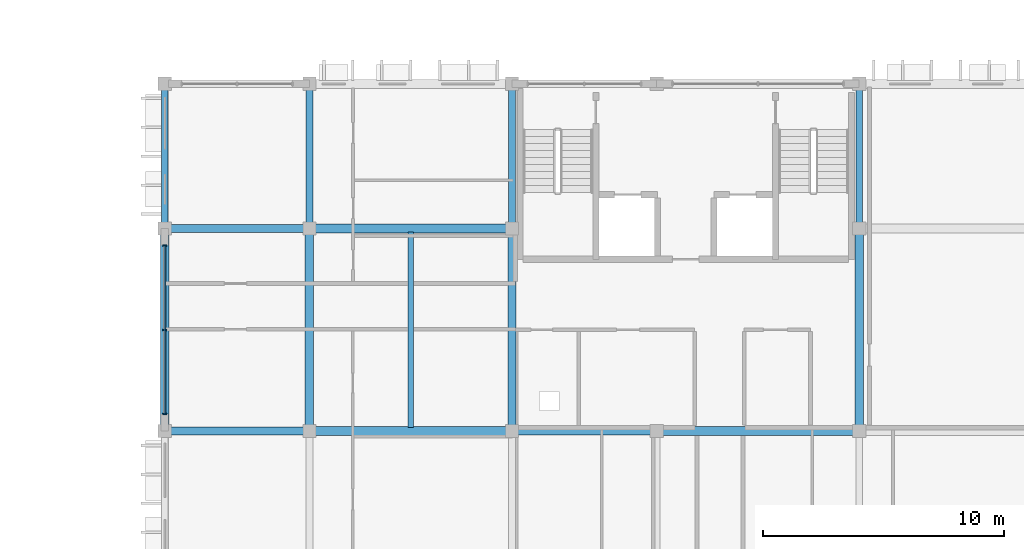
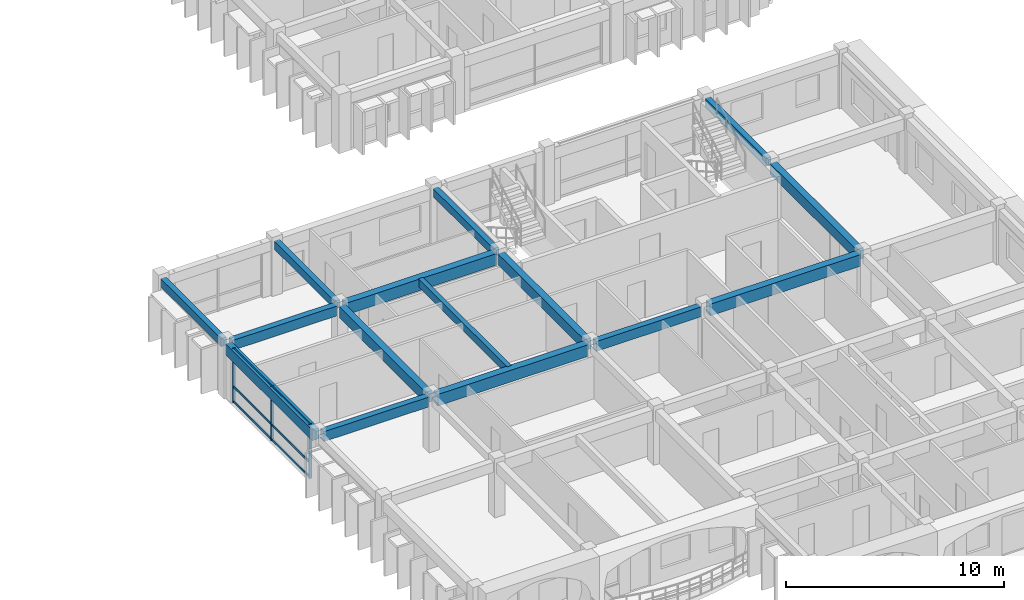
# One storey, part 15 of 79: 15 beams, 6 members, 1 element without a shape of its own.
"""IFC4 building model written with IfcOpenShell, lengths in metres."""

from ifc_helpers import new_model, si_unit, direction, frame, origin, origin_2d, place, context, subcontext, project, spatial, rectangle, extrude, material, material_profile, profile_set, type_object, element, aggregate, save


model = new_model("IFC4")

# Units and contexts
model_context = context("Model", 3, precision=1e-05, world=origin(), true_north=direction((0.0, 1.0)))
body_context = subcontext(model_context, "Body", "Model", "MODEL_VIEW")
ifc_project = project(units=[si_unit("LENGTHUNIT", "METRE"), si_unit("AREAUNIT", "SQUARE_METRE"), si_unit("VOLUMEUNIT", "CUBIC_METRE"), si_unit("PLANEANGLEUNIT", "RADIAN"), si_unit("MASSUNIT", "GRAM", prefix="KILO"), si_unit("THERMODYNAMICTEMPERATUREUNIT", "KELVIN")], contexts=[model_context])

# Site, building, storey
site_placement = place(None, origin())
site = spatial("IfcSite", under=ifc_project, at=site_placement, CompositionType="ELEMENT")
building_placement = place(site_placement, origin())
building = spatial("IfcBuilding", under=site, at=building_placement, Name="Thalorik Housing Commons", CompositionType="ELEMENT")
storey_placement = place(building_placement, frame((0.0, 0.0, 11.39990234375)))
storey = spatial("IfcBuildingStorey", under=building, at=storey_placement, Name="L03", CompositionType="ELEMENT", Elevation=11.39990234375)

# Curtain wall, members
ifc_material_1 = material(Name="Anodised aluminium and solar-control low-E glass", Category="aluminium")
curtain_wall_type = type_object("IfcCurtainWallType", Name="ARC-CW-LOUNGE", PredefinedType="USERDEFINED", material=ifc_material_1)
curtain_wall_placement = place(storey_placement, origin())
curtain_wall = element("IfcCurtainWall", 1, at=curtain_wall_placement, inside=storey, type_object=curtain_wall_type, Name="L03 Curtain Wall CW-RES-L03-D-183", ObjectType="CURTAIN WALL", PredefinedType="USERDEFINED")
ifc_material_2 = material(Name="Anodised aluminium 6063-T6", Category="aluminium")
ifc_material_profile_1 = material_profile(ifc_material_2, rectangle(XDim=0.06005859375, YDim=0.159912109375, at=origin_2d()), Name="ALU MUL 60x160", Category="aluminium")
ifc_profile_set_1 = profile_set([ifc_material_profile_1], Name="Anodised aluminium 6063-T6")
member_type_1 = type_object("IfcMemberType", Name="ARC-CW-MUL-60x160", PredefinedType="MULLION", material=ifc_profile_set_1)
member_1_placement = place(storey_placement, frame((138.0, 65.300048828125, 0.0), z_axis=(0.0, 0.0, 1.0), x_axis=(0.0, -1.0, 0.0)))
member_1 = element("IfcMember", 2, at=member_1_placement, type_object=member_type_1, Name="CW-RES-L03-D-183 Mullion 1", PredefinedType="MULLION", context=body_context, shape_type="SweptSolid", body=[
    extrude(rectangle(XDim=0.06005859375, YDim=0.159912109375, at=origin_2d()), origin(), (0.0, 0.0, 1.0), 3.0400390625),
])
member_2_placement = place(storey_placement, frame((138.0, 61.800048828125, 0.0), z_axis=(0.0, 0.0, 1.0), x_axis=(0.0, -1.0, 0.0)))
member_2 = element("IfcMember", 3, at=member_2_placement, type_object=member_type_1, Name="CW-RES-L03-D-183 Mullion 2", PredefinedType="MULLION", context=body_context, shape_type="SweptSolid", body=[
    extrude(rectangle(XDim=0.06005859375, YDim=0.159912109375, at=origin_2d()), origin(), (0.0, 0.0, 1.0), 3.0400390625),
])
member_3_placement = place(storey_placement, frame((138.0, 58.300048828125, 0.0), z_axis=(0.0, 0.0, 1.0), x_axis=(0.0, -1.0, 0.0)))
member_3 = element("IfcMember", 4, at=member_3_placement, type_object=member_type_1, Name="CW-RES-L03-D-183 Mullion 3", PredefinedType="MULLION", context=body_context, shape_type="SweptSolid", body=[
    extrude(rectangle(XDim=0.06005859375, YDim=0.159912109375, at=origin_2d()), origin(), (0.0, 0.0, 1.0), 3.0400390625),
])
ifc_material_profile_2 = material_profile(ifc_material_2, rectangle(XDim=0.06005859375, YDim=0.1201171875, at=origin_2d()), Name="ALU TRN 60x120", Category="aluminium")
ifc_profile_set_2 = profile_set([ifc_material_profile_2], Name="Anodised aluminium 6063-T6")
member_type_2 = type_object("IfcMemberType", Name="ARC-CW-TRN-60x120", PredefinedType="USERDEFINED", material=ifc_profile_set_2)
member_4_placement = place(storey_placement, frame((138.0, 65.300048828125, 0.05517578125), z_axis=(0.0, -1.0, 0.0), x_axis=(1.0, 0.0, 0.0)))
member_4 = element("IfcMember", 5, at=member_4_placement, type_object=member_type_2, Name="CW-RES-L03-D-183 Transom 1", ObjectType="TRANSOM", PredefinedType="USERDEFINED", context=body_context, shape_type="SweptSolid", body=[
    extrude(rectangle(XDim=0.06005859375, YDim=0.1201171875, at=origin_2d()), origin(), (0.0, 0.0, 1.0), 7.0),
])
member_5_placement = place(storey_placement, frame((138.0, 65.300048828125, 0.880126953125), z_axis=(0.0, -1.0, 0.0), x_axis=(1.0, 0.0, 0.0)))
member_5 = element("IfcMember", 6, at=member_5_placement, type_object=member_type_2, Name="CW-RES-L03-D-183 Transom 2", ObjectType="TRANSOM", PredefinedType="USERDEFINED", context=body_context, shape_type="SweptSolid", body=[
    extrude(rectangle(XDim=0.06005859375, YDim=0.1201171875, at=origin_2d()), origin(), (0.0, 0.0, 1.0), 7.0),
])
member_6_placement = place(storey_placement, frame((138.0, 65.300048828125, 2.985107421875), z_axis=(0.0, -1.0, 0.0), x_axis=(1.0, 0.0, 0.0)))
member_6 = element("IfcMember", 7, at=member_6_placement, type_object=member_type_2, Name="CW-RES-L03-D-183 Transom 3", ObjectType="TRANSOM", PredefinedType="USERDEFINED", context=body_context, shape_type="SweptSolid", body=[
    extrude(rectangle(XDim=0.06005859375, YDim=0.1201171875, at=origin_2d()), origin(), (0.0, 0.0, 1.0), 7.0),
])
aggregate(curtain_wall, [member_1, member_2, member_3, member_4, member_5, member_6])

# Beams
ifc_material_3 = material(Name="Precast concrete C40/50", Category="concrete")
ifc_material_profile_3 = material_profile(ifc_material_3, rectangle(XDim=0.280029296875, YDim=0.449951171875, at=origin_2d()), Name="PC 280x450", Category="concrete")
ifc_profile_set_3 = profile_set([ifc_material_profile_3], Name="Precast concrete C40/50")
beam_type_1 = type_object("IfcBeamType", Name="STR-BM-PC280x450", PredefinedType="BEAM", material=ifc_profile_set_3)
for number, where, z_axis, x_axis, name in (
    (8, (138.0, 66.22509765625, 2.815185546875), (0.0, 1.0, 0.0), (-1.0, 0.0, 0.0), "L03 Beam B-450"),
    (9, (144.0, 66.22509765625, 2.815185546875), (0.0, 1.0, 0.0), (-1.0, 0.0, 0.0), "L03 Beam B-450"),
    (10, (152.39990234375, 66.22509765625, 2.815185546875), (0.0, 1.0, 0.0), (-1.0, 0.0, 0.0), "L03 Beam B-450"),
    (11, (166.800048828125, 66.22509765625, 2.815185546875), (0.0, 1.0, 0.0), (-1.0, 0.0, 0.0), "L03 Beam B-450"),
):
    element("IfcBeam", number, at=place(storey_placement, frame(where, z_axis=z_axis, x_axis=x_axis)), inside=storey, type_object=beam_type_1, Name=name, PredefinedType="BEAM", context=body_context, shape_type="SweptSolid", body=[
        extrude(rectangle(XDim=0.280029296875, YDim=0.449951171875, at=origin_2d()), origin(), (0.0, 0.0, 1.0), 5.5498046875),
    ])
ifc_material_profile_4 = material_profile(ifc_material_3, rectangle(XDim=0.320068359375, YDim=0.550048828125, at=origin_2d()), Name="PC 320x550", Category="concrete")
ifc_profile_set_4 = profile_set([ifc_material_profile_4], Name="Precast concrete C40/50")
beam_type_2 = type_object("IfcBeamType", Name="STR-BM-PC320x550", PredefinedType="BEAM", material=ifc_profile_set_4)
beam_1_placement = place(storey_placement, frame((138.22509765625, 57.60009765625, 2.76513671875), z_axis=(1.0, 0.0, 0.0), x_axis=(0.0, 1.0, 0.0)))
element("IfcBeam", 12, at=beam_1_placement, inside=storey, type_object=beam_type_2, Name="L03 Beam B-550", PredefinedType="BEAM", context=body_context, shape_type="SweptSolid", body=[
    extrude(rectangle(XDim=0.320068359375, YDim=0.550048828125, at=origin_2d()), origin(), (0.0, 0.0, 1.0), 5.5498046875),
])
beam_2_placement = place(storey_placement, frame((152.625, 57.60009765625, 2.76513671875), z_axis=(1.0, 0.0, 0.0), x_axis=(0.0, 1.0, 0.0)))
element("IfcBeam", 13, at=beam_2_placement, inside=storey, type_object=beam_type_2, Name="L03 Beam B-550", PredefinedType="BEAM", context=body_context, shape_type="SweptSolid", body=[
    extrude(rectangle(XDim=0.320068359375, YDim=0.550048828125, at=origin_2d()), origin(), (0.0, 0.0, 1.0), 5.550048828125),
])
beam_3_placement = place(storey_placement, frame((138.22509765625, 66.0, 2.76513671875), z_axis=(1.0, 0.0, 0.0), x_axis=(0.0, 1.0, 0.0)))
element("IfcBeam", 14, at=beam_3_placement, inside=storey, type_object=beam_type_2, Name="L03 Beam B-550", PredefinedType="BEAM", context=body_context, shape_type="SweptSolid", body=[
    extrude(rectangle(XDim=0.320068359375, YDim=0.550048828125, at=origin_2d()), origin(), (0.0, 0.0, 1.0), 5.5498046875),
])
ifc_material_profile_5 = material_profile(ifc_material_3, rectangle(XDim=0.35009765625, YDim=0.60009765625, at=origin_2d()), Name="PC 350x600", Category="concrete")
ifc_profile_set_5 = profile_set([ifc_material_profile_5], Name="Precast concrete C40/50")
beam_type_3 = type_object("IfcBeamType", Name="STR-BM-PC350x600", PredefinedType="BEAM", material=ifc_profile_set_5)
for number, where, z_axis, x_axis, name in (
    (15, (138.0, 57.824951171875, 2.739990234375), (0.0, 1.0, 0.0), (-1.0, 0.0, 0.0), "L03 Beam B-600"),
    (16, (144.0, 57.824951171875, 2.739990234375), (0.0, 1.0, 0.0), (-1.0, 0.0, 0.0), "L03 Beam B-600"),
    (17, (152.39990234375, 57.824951171875, 2.739990234375), (0.0, 1.0, 0.0), (-1.0, 0.0, 0.0), "L03 Beam B-600"),
    (18, (166.800048828125, 57.824951171875, 2.739990234375), (0.0, 1.0, 0.0), (-1.0, 0.0, 0.0), "L03 Beam B-600"),
):
    element("IfcBeam", number, at=place(storey_placement, frame(where, z_axis=z_axis, x_axis=x_axis)), inside=storey, type_object=beam_type_3, Name=name, PredefinedType="BEAM", context=body_context, shape_type="SweptSolid", body=[
        extrude(rectangle(XDim=0.35009765625, YDim=0.60009765625, at=origin_2d()), origin(), (0.0, 0.0, 1.0), 7.949951171875),
    ])
ifc_material_profile_6 = material_profile(ifc_material_3, rectangle(XDim=0.3798828125, YDim=0.64990234375, at=origin_2d()), Name="PC 380x650", Category="concrete")
ifc_profile_set_6 = profile_set([ifc_material_profile_6], Name="Precast concrete C40/50")
beam_type_4 = type_object("IfcBeamType", Name="STR-BM-PC380x650", PredefinedType="BEAM", material=ifc_profile_set_6)
for number, where, z_axis, x_axis, name in (
    (19, (144.22509765625, 57.60009765625, 2.715087890625), (1.0, 0.0, 0.0), (0.0, 1.0, 0.0), "L03 Beam B-650"),
    (20, (158.625, 57.60009765625, 2.715087890625), (1.0, 0.0, 0.0), (0.0, 1.0, 0.0), "L03 Beam B-650"),
    (21, (144.22509765625, 66.0, 2.715087890625), (1.0, 0.0, 0.0), (0.0, 1.0, 0.0), "L03 Beam B-650"),
):
    element("IfcBeam", number, at=place(storey_placement, frame(where, z_axis=z_axis, x_axis=x_axis)), inside=storey, type_object=beam_type_4, Name=name, PredefinedType="BEAM", context=body_context, shape_type="SweptSolid", body=[
        extrude(rectangle(XDim=0.3798828125, YDim=0.64990234375, at=origin_2d()), origin(), (0.0, 0.0, 1.0), 7.949951171875),
    ])
ifc_material_profile_7 = material_profile(ifc_material_3, rectangle(XDim=0.239990234375, YDim=0.43994140625, at=origin_2d()), Name="PC JST 240x440", Category="concrete")
ifc_profile_set_7 = profile_set([ifc_material_profile_7], Name="Precast concrete C40/50")
beam_type_5 = type_object("IfcBeamType", Name="STR-JST-PC240x440", PredefinedType="JOIST", material=ifc_profile_set_7)
beam_4_placement = place(storey_placement, frame((148.199951171875, 57.739990234375, 2.820068359375), z_axis=(0.0, 1.0, 0.0), x_axis=(-1.0, 0.0, 0.0)))
element("IfcBeam", 22, at=beam_4_placement, inside=storey, type_object=beam_type_5, Name="L03 Beam J-440", PredefinedType="JOIST", context=body_context, shape_type="SweptSolid", body=[
    extrude(rectangle(XDim=0.239990234375, YDim=0.43994140625, at=origin_2d()), origin(), (0.0, 0.0, 1.0), 8.1201171875),
])

save(model, "model.ifc")
